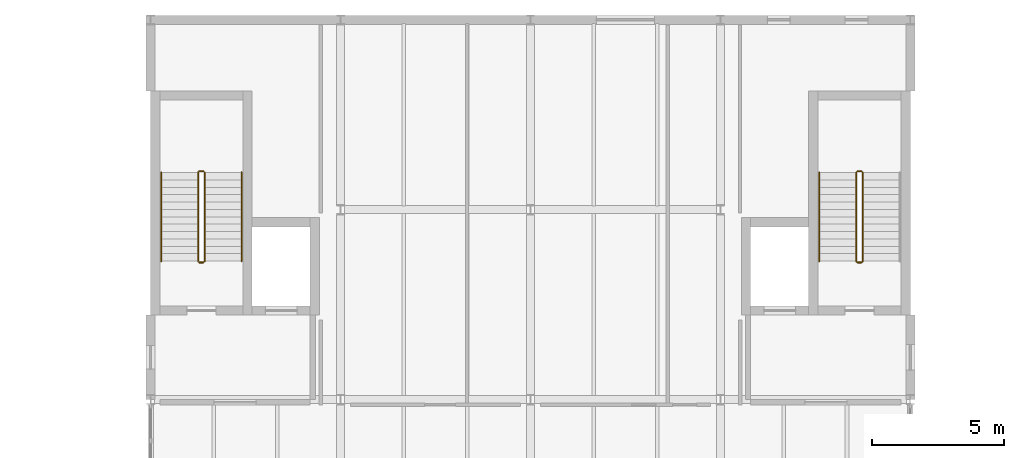
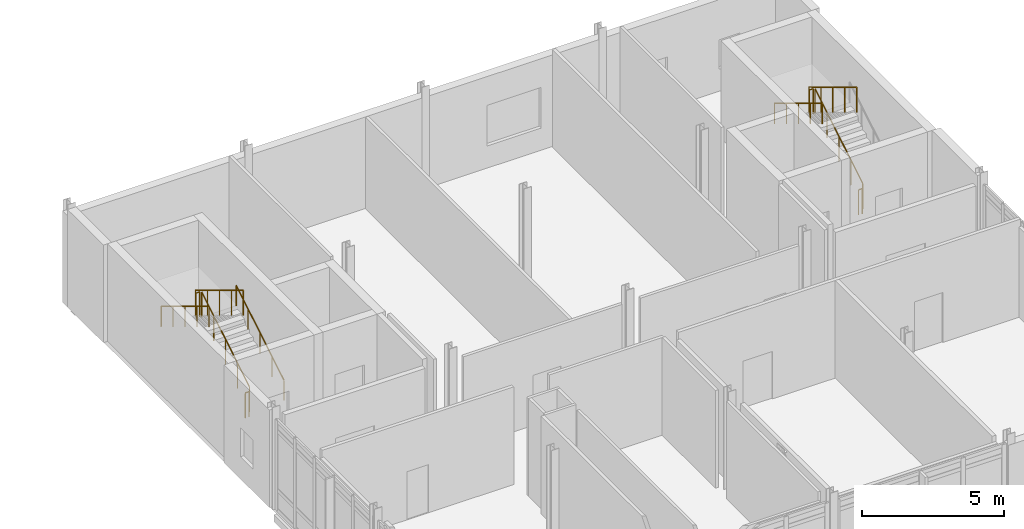
# One storey, part 52 of 53: 11 railings.
"""IFC4 building model written with IfcOpenShell, lengths in metres."""

from ifc_helpers import new_model, si_unit, direction, frame, origin, origin_2d, place, context, subcontext, project, spatial, circle, extrude, material, layer, layer_set, type_object, element, save


model = new_model("IFC4")

# Units and contexts
model_context = context("Model", 3, precision=1e-05, world=origin(), true_north=direction((0.0, 1.0)))
body_context = subcontext(model_context, "Body", "Model", "MODEL_VIEW")
ifc_project = project(units=[si_unit("LENGTHUNIT", "METRE"), si_unit("AREAUNIT", "SQUARE_METRE"), si_unit("VOLUMEUNIT", "CUBIC_METRE"), si_unit("PLANEANGLEUNIT", "RADIAN"), si_unit("MASSUNIT", "GRAM", prefix="KILO")], contexts=[model_context])

# Site, building, storey
site_placement = place(None, origin())
site = spatial("IfcSite", under=ifc_project, at=site_placement, CompositionType="ELEMENT")
building_placement = place(site_placement, origin())
building = spatial("IfcBuilding", under=site, at=building_placement, Name="Zarrinpeak Specialist Clinic", CompositionType="ELEMENT")
storey_placement = place(building_placement, frame((0.0, 0.0, 14.0)))
storey = spatial("IfcBuildingStorey", under=building, at=storey_placement, Name="L03", CompositionType="ELEMENT", Elevation=14.0)

# Railings
ifc_material_1 = material(Name="Laminated Safety Glass and Stainless Steel 316", Category="steel")
ifc_layer_1 = layer(ifc_material_1, 0.06005859375)
ifc_layer_set_1 = layer_set([ifc_layer_1], Name="Laminated Safety Glass and Stainless Steel 316")
railing_type_1 = type_object("IfcRailingType", Name="RL-GRD115", PredefinedType="GUARDRAIL", material=ifc_layer_set_1)
railing_1_placement = place(storey_placement, frame((38.050048828125, 108.85009765625, 0.169189453125)))
element("IfcRailing", 1, at=railing_1_placement, inside=storey, type_object=railing_type_1, Name="L03 ST-11 stair guard 1", PredefinedType="GUARDRAIL", context=body_context, shape_type="SweptSolid", body=[
    extrude(circle(Radius=0.02392578125, at=origin_2d()), frame((0.0, 0.0, 1.076171875), z_axis=(0.0, 0.855820338506, 0.51727318527), x_axis=(-1.0, 0.0, 0.0)), (0.0, 0.0, 1.0), 3.92578125),
    extrude(circle(Radius=0.02099609375, at=origin_2d()), origin(), (0.0, 0.0, 1.0), 1.052001953125),
    extrude(circle(Radius=0.02099609375, at=origin_2d()), frame((0.0, 0.83984375, 0.5078125)), (0.0, 0.0, 1.0), 1.052001953125),
    extrude(circle(Radius=0.02099609375, at=origin_2d()), frame((0.0, 1.679931640625, 1.015380859375)), (0.0, 0.0, 1.0), 1.052001953125),
    extrude(circle(Radius=0.02099609375, at=origin_2d()), frame((0.0, 2.52001953125, 1.52294921875)), (0.0, 0.0, 1.0), 1.052001953125),
    extrude(circle(Radius=0.02099609375, at=origin_2d()), frame((0.0, 3.35986328125, 2.03076171875)), (0.0, 0.0, 1.0), 1.052001953125),
])
railing_2_placement = place(storey_placement, frame((38.0, 112.260009765625, 2.199951171875)))
element("IfcRailing", 2, at=railing_2_placement, inside=storey, type_object=railing_type_1, Name="L03 ST-11 stair guard 2", PredefinedType="GUARDRAIL", context=body_context, shape_type="SweptSolid", body=[
    extrude(circle(Radius=0.02392578125, at=origin_2d()), frame((0.0, 0.0, 1.076171875), z_axis=(-1.0, 0.0, 0.0), x_axis=(0.0, -1.0, 0.0)), (0.0, 0.0, 1.0), 0.14990234375),
    extrude(circle(Radius=0.02099609375, at=origin_2d()), origin(), (0.0, 0.0, 1.0), 1.052001953125),
    extrude(circle(Radius=0.02099609375, at=origin_2d()), frame((-0.14990234375, 0.0, 0.0)), (0.0, 0.0, 1.0), 1.052001953125),
])
railing_3_placement = place(storey_placement, frame((37.800048828125, 112.2099609375, 2.369140625)))
element("IfcRailing", 3, at=railing_3_placement, inside=storey, type_object=railing_type_1, Name="L03 ST-11 stair guard 3", PredefinedType="GUARDRAIL", context=body_context, shape_type="SweptSolid", body=[
    extrude(circle(Radius=0.02392578125, at=origin_2d()), frame((0.0, 0.0, 1.076171875), z_axis=(0.0, -0.855820338506, 0.51727318527), x_axis=(1.0, 0.0, 0.0)), (0.0, 0.0, 1.0), 3.92578125),
    extrude(circle(Radius=0.02099609375, at=origin_2d()), origin(), (0.0, 0.0, 1.0), 1.052001953125),
    extrude(circle(Radius=0.02099609375, at=origin_2d()), frame((0.0, -0.83984375, 0.5078125)), (0.0, 0.0, 1.0), 1.052001953125),
    extrude(circle(Radius=0.02099609375, at=origin_2d()), frame((0.0, -1.679931640625, 1.015380859375)), (0.0, 0.0, 1.0), 1.052001953125),
    extrude(circle(Radius=0.02099609375, at=origin_2d()), frame((0.0, -2.52001953125, 1.52294921875)), (0.0, 0.0, 1.0), 1.052001953125),
    extrude(circle(Radius=0.02099609375, at=origin_2d()), frame((0.0, -3.35986328125, 2.03076171875)), (0.0, 0.0, 1.0), 1.052001953125),
])
railing_4_placement = place(storey_placement, frame((38.0, 108.800048828125, 0.0)))
element("IfcRailing", 4, at=railing_4_placement, inside=storey, type_object=railing_type_1, Name="L03 ST-11 stair guard 4", PredefinedType="GUARDRAIL", context=body_context, shape_type="SweptSolid", body=[
    extrude(circle(Radius=0.02392578125, at=origin_2d()), frame((0.0, 0.0, 1.076171875), z_axis=(-1.0, 0.0, 0.0), x_axis=(0.0, -1.0, 0.0)), (0.0, 0.0, 1.0), 0.14990234375),
    extrude(circle(Radius=0.02099609375, at=origin_2d()), origin(), (0.0, 0.0, 1.0), 1.052001953125),
    extrude(circle(Radius=0.02099609375, at=origin_2d()), frame((-0.14990234375, 0.0, 0.0)), (0.0, 0.0, 1.0), 1.052001953125),
])
railing_5_placement = place(storey_placement, frame((63.0, 108.85009765625, 0.169189453125)))
element("IfcRailing", 5, at=railing_5_placement, inside=storey, type_object=railing_type_1, Name="L03 ST-12 stair guard 1", PredefinedType="GUARDRAIL", context=body_context, shape_type="SweptSolid", body=[
    extrude(circle(Radius=0.02392578125, at=origin_2d()), frame((0.0, 0.0, 1.076171875), z_axis=(0.0, 0.855820338506, 0.51727318527), x_axis=(-1.0, 0.0, 0.0)), (0.0, 0.0, 1.0), 3.92578125),
    extrude(circle(Radius=0.02099609375, at=origin_2d()), origin(), (0.0, 0.0, 1.0), 1.052001953125),
    extrude(circle(Radius=0.02099609375, at=origin_2d()), frame((0.0, 0.83984375, 0.5078125)), (0.0, 0.0, 1.0), 1.052001953125),
    extrude(circle(Radius=0.02099609375, at=origin_2d()), frame((0.0, 1.679931640625, 1.015380859375)), (0.0, 0.0, 1.0), 1.052001953125),
    extrude(circle(Radius=0.02099609375, at=origin_2d()), frame((0.0, 2.52001953125, 1.52294921875)), (0.0, 0.0, 1.0), 1.052001953125),
    extrude(circle(Radius=0.02099609375, at=origin_2d()), frame((0.0, 3.35986328125, 2.03076171875)), (0.0, 0.0, 1.0), 1.052001953125),
])
railing_6_placement = place(storey_placement, frame((62.949951171875, 112.260009765625, 2.199951171875)))
element("IfcRailing", 6, at=railing_6_placement, inside=storey, type_object=railing_type_1, Name="L03 ST-12 stair guard 2", PredefinedType="GUARDRAIL", context=body_context, shape_type="SweptSolid", body=[
    extrude(circle(Radius=0.02392578125, at=origin_2d()), frame((0.0, 0.0, 1.076171875), z_axis=(-1.0, 0.0, 0.0), x_axis=(0.0, -1.0, 0.0)), (0.0, 0.0, 1.0), 0.14990234375),
    extrude(circle(Radius=0.02099609375, at=origin_2d()), origin(), (0.0, 0.0, 1.0), 1.052001953125),
    extrude(circle(Radius=0.02099609375, at=origin_2d()), frame((-0.14990234375, 0.0, 0.0)), (0.0, 0.0, 1.0), 1.052001953125),
])
railing_7_placement = place(storey_placement, frame((62.75, 112.2099609375, 2.369140625)))
element("IfcRailing", 7, at=railing_7_placement, inside=storey, type_object=railing_type_1, Name="L03 ST-12 stair guard 3", PredefinedType="GUARDRAIL", context=body_context, shape_type="SweptSolid", body=[
    extrude(circle(Radius=0.02392578125, at=origin_2d()), frame((0.0, 0.0, 1.076171875), z_axis=(0.0, -0.855820338506, 0.51727318527), x_axis=(1.0, 0.0, 0.0)), (0.0, 0.0, 1.0), 3.92578125),
    extrude(circle(Radius=0.02099609375, at=origin_2d()), origin(), (0.0, 0.0, 1.0), 1.052001953125),
    extrude(circle(Radius=0.02099609375, at=origin_2d()), frame((0.0, -0.83984375, 0.5078125)), (0.0, 0.0, 1.0), 1.052001953125),
    extrude(circle(Radius=0.02099609375, at=origin_2d()), frame((0.0, -1.679931640625, 1.015380859375)), (0.0, 0.0, 1.0), 1.052001953125),
    extrude(circle(Radius=0.02099609375, at=origin_2d()), frame((0.0, -2.52001953125, 1.52294921875)), (0.0, 0.0, 1.0), 1.052001953125),
    extrude(circle(Radius=0.02099609375, at=origin_2d()), frame((0.0, -3.35986328125, 2.03076171875)), (0.0, 0.0, 1.0), 1.052001953125),
])
railing_8_placement = place(storey_placement, frame((62.949951171875, 108.800048828125, 0.0)))
element("IfcRailing", 8, at=railing_8_placement, inside=storey, type_object=railing_type_1, Name="L03 ST-12 stair guard 4", PredefinedType="GUARDRAIL", context=body_context, shape_type="SweptSolid", body=[
    extrude(circle(Radius=0.02392578125, at=origin_2d()), frame((0.0, 0.0, 1.076171875), z_axis=(-1.0, 0.0, 0.0), x_axis=(0.0, -1.0, 0.0)), (0.0, 0.0, 1.0), 0.14990234375),
    extrude(circle(Radius=0.02099609375, at=origin_2d()), origin(), (0.0, 0.0, 1.0), 1.052001953125),
    extrude(circle(Radius=0.02099609375, at=origin_2d()), frame((-0.14990234375, 0.0, 0.0)), (0.0, 0.0, 1.0), 1.052001953125),
])
ifc_material_2 = material(Name="Brushed Stainless Steel 316 Handrail", Category="steel")
ifc_layer_2 = layer(ifc_material_2, 0.050048828125)
ifc_layer_set_2 = layer_set([ifc_layer_2], Name="Brushed Stainless Steel 316 Handrail")
railing_type_2 = type_object("IfcRailingType", Name="RL-HND92", PredefinedType="HANDRAIL", material=ifc_layer_set_2)
railing_9_placement = place(storey_placement, frame((39.449951171875, 108.85009765625, 0.169189453125)))
element("IfcRailing", 9, at=railing_9_placement, inside=storey, type_object=railing_type_2, Name="L03 ST-11 stair handrail 1", PredefinedType="HANDRAIL", context=body_context, shape_type="SweptSolid", body=[
    extrude(circle(Radius=0.02392578125, at=origin_2d()), frame((0.0, 0.0, 0.8759765625), z_axis=(0.0, 0.855820338506, 0.51727318527), x_axis=(-1.0, 0.0, 0.0)), (0.0, 0.0, 1.0), 3.92578125),
    extrude(circle(Radius=0.02099609375, at=origin_2d()), origin(), (0.0, 0.0, 1.0), 0.851806640625),
    extrude(circle(Radius=0.02099609375, at=origin_2d()), frame((0.0, 0.83984375, 0.5078125)), (0.0, 0.0, 1.0), 0.851806640625),
    extrude(circle(Radius=0.02099609375, at=origin_2d()), frame((0.0, 1.679931640625, 1.015380859375)), (0.0, 0.0, 1.0), 0.851806640625),
    extrude(circle(Radius=0.02099609375, at=origin_2d()), frame((0.0, 2.52001953125, 1.52294921875)), (0.0, 0.0, 1.0), 0.851806640625),
    extrude(circle(Radius=0.02099609375, at=origin_2d()), frame((0.0, 3.35986328125, 2.03076171875)), (0.0, 0.0, 1.0), 0.851806640625),
])
for number, where, name in (
    (10, (36.39990234375, 112.2099609375, 2.369140625), "L03 ST-11 stair handrail 2"),
    (11, (61.35009765625, 112.2099609375, 2.369140625), "L03 ST-12 stair handrail 2"),
):
    element("IfcRailing", number, at=place(storey_placement, frame(where)), inside=storey, type_object=railing_type_2, Name=name, PredefinedType="HANDRAIL", context=body_context, shape_type="SweptSolid", body=[
        extrude(circle(Radius=0.02392578125, at=origin_2d()), frame((0.0, 0.0, 0.8759765625), z_axis=(0.0, -0.855820338506, 0.51727318527), x_axis=(1.0, 0.0, 0.0)), (0.0, 0.0, 1.0), 3.92578125),
        extrude(circle(Radius=0.02099609375, at=origin_2d()), origin(), (0.0, 0.0, 1.0), 0.851806640625),
        extrude(circle(Radius=0.02099609375, at=origin_2d()), frame((0.0, -0.83984375, 0.5078125)), (0.0, 0.0, 1.0), 0.851806640625),
        extrude(circle(Radius=0.02099609375, at=origin_2d()), frame((0.0, -1.679931640625, 1.015380859375)), (0.0, 0.0, 1.0), 0.851806640625),
        extrude(circle(Radius=0.02099609375, at=origin_2d()), frame((0.0, -2.52001953125, 1.52294921875)), (0.0, 0.0, 1.0), 0.851806640625),
        extrude(circle(Radius=0.02099609375, at=origin_2d()), frame((0.0, -3.35986328125, 2.03076171875)), (0.0, 0.0, 1.0), 0.851806640625),
    ])

save(model, "model.ifc")
